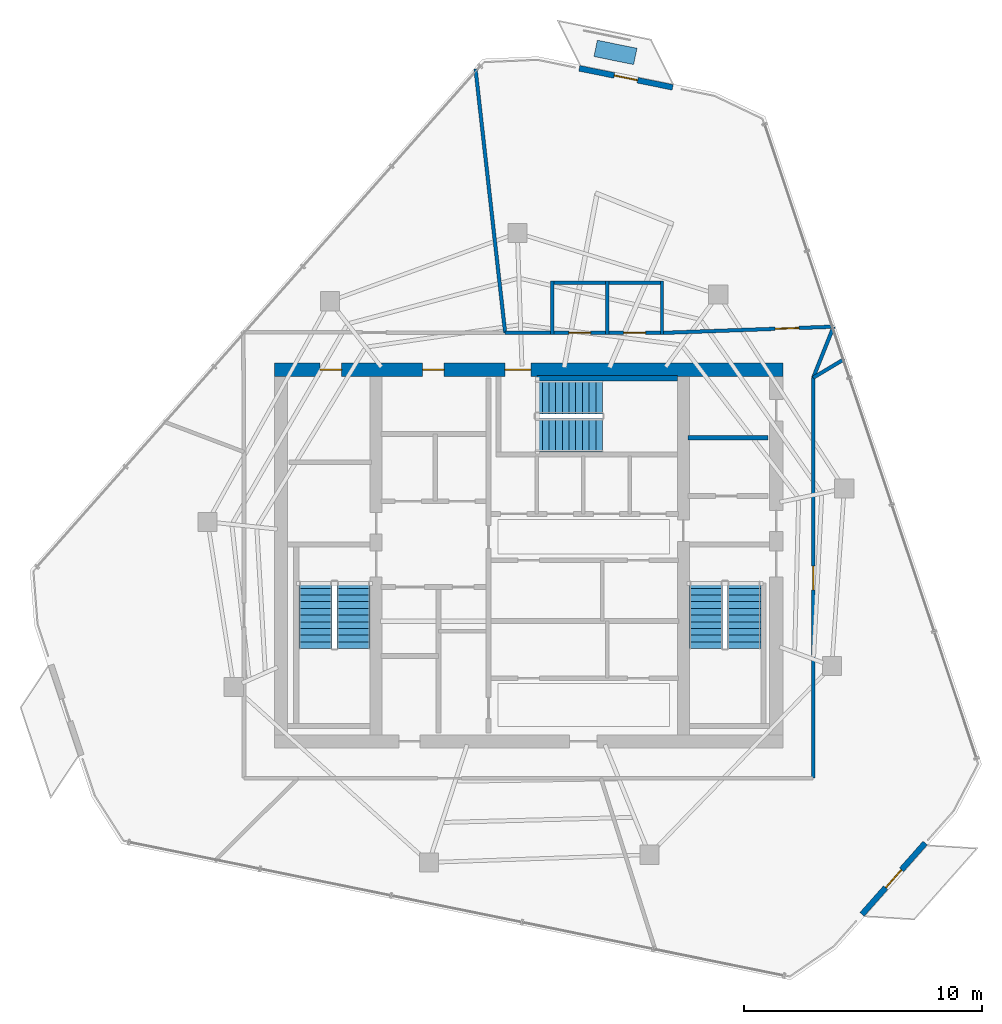
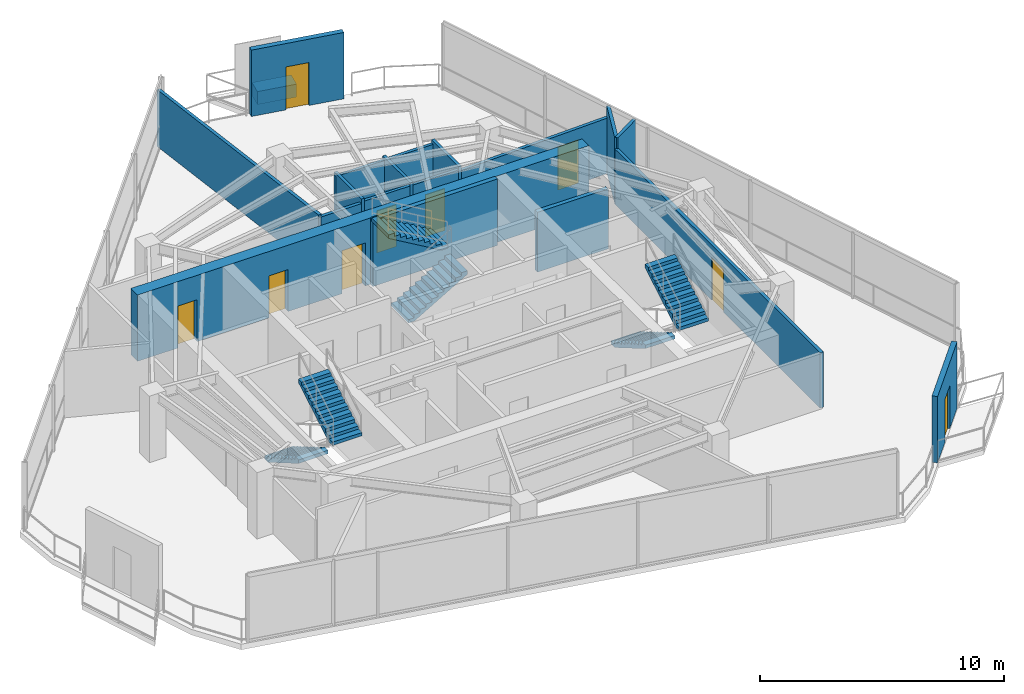
# One storey, part 16 of 18: 18 walls, 9 doors, 6 stair flights, 1 discrete accessory, 9 openings, 3 elements without a shape of their own.
"""IFC4 building model written with IfcOpenShell, lengths in metres."""

from ifc_helpers import new_model, si_unit, direction, frame, frame_2d, origin, origin_2d, place, context, subcontext, project, spatial, polyline, rectangle, outline, extrude, material, layer, layer_set, type_object, element, fill, aggregate, save


model = new_model("IFC4")

# Units and contexts
model_context = context("Model", 3, precision=1e-05, world=origin(), true_north=direction((0.0, 1.0)))
body_context = subcontext(model_context, "Body", "Model", "MODEL_VIEW")
ifc_project = project(units=[si_unit("LENGTHUNIT", "METRE"), si_unit("AREAUNIT", "SQUARE_METRE"), si_unit("VOLUMEUNIT", "CUBIC_METRE"), si_unit("PLANEANGLEUNIT", "RADIAN"), si_unit("MASSUNIT", "GRAM", prefix="KILO")], contexts=[model_context])

# Site, building, storey
site_placement = place(None, origin())
site = spatial("IfcSite", under=ifc_project, at=site_placement, CompositionType="ELEMENT")
building_placement = place(site_placement, origin())
building = spatial("IfcBuilding", under=site, at=building_placement, Name="Qarnah Convention Tower", CompositionType="ELEMENT")
storey_placement = place(building_placement, frame((0.0, 0.0, 249.89990234375)))
storey = spatial("IfcBuildingStorey", under=building, at=storey_placement, Name="L67", CompositionType="ELEMENT", Elevation=249.89990234375)

# Wall, openings, doors
ifc_material_1 = material(Name="Concrete C60/75", Category="concrete")
ifc_layer_1 = layer(ifc_material_1, 0.550048828125)
ifc_layer_set_1 = layer_set([ifc_layer_1], Name="Concrete C60/75")
wall_type_1 = type_object("IfcWallType", Name="WL-CORE-550", PredefinedType="SHEAR", material=ifc_layer_set_1)
wall_1_placement = place(storey_placement, frame((26.52490234375, 34.199951171875, 0.0), z_axis=(0.0, 0.0, 1.0), x_axis=(1.0, 0.0, 0.0)))
wall_1 = element("IfcWall", 1, at=wall_1_placement, inside=storey, type_object=wall_type_1, Name="L67 core north shear wall", PredefinedType="SHEAR", context=body_context, shape_type="SweptSolid", body=[
    extrude(rectangle(XDim=21.35009765625, YDim=0.550048828125, at=frame_2d((10.675048828125, 0.0))), origin(), (0.0, 0.0, 1.0), 3.320068359375),
])
opening_1_placement = place(wall_1_placement, frame((9.675048828125, 0.0, 0.0)))
opening_1 = element("IfcOpeningElement", 2, at=opening_1_placement, cuts=wall_1, Name="Opening D-6703", PredefinedType="OPENING", context=body_context, shape_type="SweptSolid", body=[
    extrude(rectangle(XDim=1.10009765625, YDim=2.14990234375, at=frame_2d((0.550048828125, 1.074951171875))), frame((0.0, 0.284912109375, 0.0), z_axis=(0.0, -1.0, 0.0), x_axis=(1.0, 0.0, 0.0)), (0.0, 0.0, 1.0), 0.570068359375),
])
opening_2_placement = place(wall_1_placement, frame((1.925048828125, 0.0, 0.0)))
opening_2 = element("IfcOpeningElement", 3, at=opening_2_placement, cuts=wall_1, Name="Opening D-6709", PredefinedType="OPENING", context=body_context, shape_type="SweptSolid", body=[
    extrude(rectangle(XDim=0.89990234375, YDim=2.10009765625, at=frame_2d((0.449951171875, 1.050048828125))), frame((0.0, 0.284912109375, 0.0), z_axis=(0.0, -1.0, 0.0), x_axis=(1.0, 0.0, 0.0)), (0.0, 0.0, 1.0), 0.570068359375),
])
opening_3_placement = place(wall_1_placement, frame((6.22509765625, 0.0, 0.0)))
opening_3 = element("IfcOpeningElement", 4, at=opening_3_placement, cuts=wall_1, Name="Opening D-6710", PredefinedType="OPENING", context=body_context, shape_type="SweptSolid", body=[
    extrude(rectangle(XDim=0.89990234375, YDim=2.10009765625, at=frame_2d((0.449951171875, 1.050048828125))), frame((0.0, 0.284912109375, 0.0), z_axis=(0.0, -1.0, 0.0), x_axis=(1.0, 0.0, 0.0)), (0.0, 0.0, 1.0), 0.570068359375),
])
ifc_material_2 = material(Name="Structural steel S355JR", Category="steel")
door_type_1 = type_object("IfcDoorType", Name="DT-RISER-900", OperationType="NOTDEFINED", PredefinedType="DOOR", material=ifc_material_2)
door_1_placement = place(opening_2_placement, origin())
door_1 = element("IfcDoor", 5, at=door_1_placement, inside=storey, type_object=door_type_1, Name="Door D-6709", OperationType="SINGLE_SWING_RIGHT", OverallHeight=2.10009765625, OverallWidth=0.89990234375, PredefinedType="DOOR", context=body_context, shape_type="SweptSolid", body=[
    extrude(rectangle(XDim=0.89990234375, YDim=2.10009765625, at=frame_2d((0.449951171875, 1.050048828125))), frame((0.0, 0.02490234375, 0.0), z_axis=(0.0, -1.0, 0.0), x_axis=(1.0, 0.0, 0.0)), (0.0, 0.0, 1.0), 0.050048828125),
])
fill(opening_2, door_1)
door_2_placement = place(opening_3_placement, origin())
door_2 = element("IfcDoor", 6, at=door_2_placement, inside=storey, type_object=door_type_1, Name="Door D-6710", OperationType="SINGLE_SWING_LEFT", OverallHeight=2.10009765625, OverallWidth=0.89990234375, PredefinedType="DOOR", context=body_context, shape_type="SweptSolid", body=[
    extrude(rectangle(XDim=0.89990234375, YDim=2.10009765625, at=frame_2d((0.449951171875, 1.050048828125))), frame((0.0, 0.02490234375, 0.0), z_axis=(0.0, -1.0, 0.0), x_axis=(1.0, 0.0, 0.0)), (0.0, 0.0, 1.0), 0.050048828125),
])
fill(opening_3, door_2)
door_type_2 = type_object("IfcDoorType", Name="DT-STAIR-1100", OperationType="NOTDEFINED", PredefinedType="DOOR", material=ifc_material_2)
door_3_placement = place(opening_1_placement, origin())
door_3 = element("IfcDoor", 7, at=door_3_placement, inside=storey, type_object=door_type_2, Name="Door D-6703", OperationType="SINGLE_SWING_RIGHT", OverallHeight=2.14990234375, OverallWidth=1.10009765625, PredefinedType="DOOR", context=body_context, shape_type="SweptSolid", body=[
    extrude(rectangle(XDim=1.10009765625, YDim=2.14990234375, at=frame_2d((0.550048828125, 1.074951171875))), frame((0.0, 0.02490234375, 0.0), z_axis=(0.0, -1.0, 0.0), x_axis=(1.0, 0.0, 0.0)), (0.0, 0.0, 1.0), 0.050048828125),
])
fill(opening_1, door_3)

# Walls
ifc_material_3 = material(Name="Concrete C45/55", Category="concrete")
ifc_layer_2 = layer(ifc_material_3, 0.199951171875)
ifc_layer_set_2 = layer_set([ifc_layer_2], Name="Concrete C45/55")
wall_type_2 = type_object("IfcWallType", Name="WL-CORE-PART-200", PredefinedType="SOLIDWALL", material=ifc_layer_set_2)
wall_2_placement = place(storey_placement, frame((43.89990234375, 31.35009765625, 0.0), z_axis=(0.0, 0.0, 1.0), x_axis=(1.0, 0.0, 0.0)))
element("IfcWall", 8, at=wall_2_placement, inside=storey, type_object=wall_type_2, Name="L67 interior wall IW-L67-WTRN", PredefinedType="SOLIDWALL", context=body_context, shape_type="SweptSolid", body=[
    extrude(rectangle(XDim=3.35009765625, YDim=0.199951171875, at=frame_2d((1.675048828125, 0.0))), origin(), (0.0, 0.0, 1.0), 2.9931640625),
])
ifc_layer_3 = layer(ifc_material_1, 0.219970703125)
ifc_layer_set_3 = layer_set([ifc_layer_3], Name="Concrete C60/75")
wall_type_3 = type_object("IfcWallType", Name="WL-CORE-STAIR-220", PredefinedType="SHEAR", material=ifc_layer_set_3)
wall_3_placement = place(storey_placement, frame((37.550048828125, 33.840087890625, 0.0), z_axis=(0.0, 0.0, 1.0), x_axis=(1.0, 0.0, 0.0)))
element("IfcWall", 9, at=wall_3_placement, inside=storey, type_object=wall_type_3, Name="L67 stair shaft shear wall SW-L67-ST3N", PredefinedType="SHEAR", context=body_context, shape_type="SweptSolid", body=[
    extrude(rectangle(XDim=5.89990234375, YDim=0.219970703125, at=frame_2d((2.949951171875, 0.0))), origin(), (0.0, 0.0, 1.0), 3.320068359375),
])

# Wall, opening, door
ifc_material_4 = material(Name="Precast concrete C45/55", Category="concrete")
ifc_layer_4 = layer(ifc_material_4, 0.239990234375)
ifc_layer_set_4 = layer_set([ifc_layer_4], Name="Precast concrete C45/55")
wall_type_4 = type_object("IfcWallType", Name="WL-EXT-BAL-240", PredefinedType="SOLIDWALL", material=ifc_layer_set_4)
wall_4_placement = place(storey_placement, frame((39.327880859375, 46.85693359375, 0.0), z_axis=(0.0, 0.0, 1.0), x_axis=(0.979863063716, -0.199670669769, 0.0)))
wall_4 = element("IfcWall", 10, at=wall_4_placement, inside=storey, type_object=wall_type_4, Name="L67 loggia threshold wall BAL-L67-C1", PredefinedType="SOLIDWALL", context=body_context, shape_type="SweptSolid", body=[
    extrude(rectangle(XDim=4.000732421875, YDim=0.239990234375, at=frame_2d((2.00048828125, 0.0))), origin(), (0.0, 0.0, 1.0), 3.320068359375),
])
opening_4_placement = place(wall_4_placement, frame((1.5, 0.0, 0.0)))
opening_4 = element("IfcOpeningElement", 11, at=opening_4_placement, cuts=wall_4, Name="Opening BD-6701", PredefinedType="OPENING", context=body_context, shape_type="SweptSolid", body=[
    extrude(rectangle(XDim=1.0, YDim=2.14990234375, at=frame_2d((0.5, 1.074951171875))), frame((0.0, 0.1298828125, 0.0), z_axis=(0.0, -1.0, 0.0), x_axis=(1.0, 0.0, 0.0)), (0.0, 0.0, 1.0), 0.260009765625),
])
ifc_material_5 = material(Name="Black anodised aluminium", Category="aluminium")
door_type_3 = type_object("IfcDoorType", Name="DT-BAL-1000", OperationType="NOTDEFINED", PredefinedType="DOOR", material=ifc_material_5)
door_4_placement = place(opening_4_placement, origin())
door_4 = element("IfcDoor", 12, at=door_4_placement, inside=storey, type_object=door_type_3, Name="L67 balcony terrace door BAL-L67-C1", OperationType="SINGLE_SWING_RIGHT", OverallHeight=2.14990234375, OverallWidth=1.0, PredefinedType="DOOR", context=body_context, shape_type="SweptSolid", body=[
    extrude(rectangle(XDim=1.0, YDim=2.14990234375, at=frame_2d((0.5, 1.074951171875))), frame((0.0, 0.02490234375, 0.0), z_axis=(0.0, -1.0, 0.0), x_axis=(1.0, 0.0, 0.0)), (0.0, 0.0, 1.0), 0.050048828125),
])
fill(opening_4, door_4)

wall_5_placement = place(storey_placement, frame((53.85205078125, 14.3291015625, 0.0), z_axis=(0.0, 0.0, 1.0), x_axis=(-0.662934598055, -0.7486773128, 0.0)))
wall_5 = element("IfcWall", 13, at=wall_5_placement, inside=storey, type_object=wall_type_4, Name="L67 loggia threshold wall BAL-L67-C3", PredefinedType="SOLIDWALL", context=body_context, shape_type="SweptSolid", body=[
    extrude(rectangle(XDim=4.00048828125, YDim=0.239990234375, at=frame_2d((2.000244140625, 0.0))), origin(), (0.0, 0.0, 1.0), 3.320068359375),
])
opening_5_placement = place(wall_5_placement, frame((1.5, 0.0, 0.0)))
opening_5 = element("IfcOpeningElement", 14, at=opening_5_placement, cuts=wall_5, Name="Opening BD-6703", PredefinedType="OPENING", context=body_context, shape_type="SweptSolid", body=[
    extrude(rectangle(XDim=1.0, YDim=2.14990234375, at=frame_2d((0.5, 1.074951171875))), frame((0.0, 0.1298828125, 0.0), z_axis=(0.0, -1.0, 0.0), x_axis=(1.0, 0.0, 0.0)), (0.0, 0.0, 1.0), 0.260009765625),
])
door_5_placement = place(opening_5_placement, origin())
door_5 = element("IfcDoor", 15, at=door_5_placement, inside=storey, type_object=door_type_3, Name="L67 balcony terrace door BAL-L67-C3", OperationType="SINGLE_SWING_RIGHT", OverallHeight=2.14990234375, OverallWidth=1.0, PredefinedType="DOOR", context=body_context, shape_type="SweptSolid", body=[
    extrude(rectangle(XDim=1.0, YDim=2.14990234375, at=frame_2d((0.5, 1.074951171875))), frame((0.0, 0.02490234375, 0.0), z_axis=(0.0, -1.0, 0.0), x_axis=(1.0, 0.0, 0.0)), (0.0, 0.0, 1.0), 0.050048828125),
])
fill(opening_5, door_5)

# Walls
ifc_material_6 = material(Name="Gypsum partition board")
ifc_layer_5 = layer(ifc_material_6, 0.14990234375)
ifc_layer_set_5 = layer_set([ifc_layer_5], Name="Gypsum partition board")
wall_type_5 = type_object("IfcWallType", Name="WL-SUITE-150", PredefinedType="PARTITIONING", material=ifc_layer_set_5)
wall_6_placement = place(storey_placement, frame((34.971923828125, 46.824951171875, 0.0), z_axis=(0.0, 0.0, 1.0), x_axis=(0.111722573972, -0.993739435901, 0.0)))
element("IfcWall", 16, at=wall_6_placement, inside=storey, type_object=wall_type_5, Name="L67 interior wall IW-L67-R-08", PredefinedType="PARTITIONING", context=body_context, shape_type="SweptSolid", body=[
    extrude(rectangle(XDim=11.144775390625, YDim=0.14990234375, at=frame_2d((5.572265625, 0.0))), origin(), (0.0, 0.0, 1.0), 2.84521484375),
])
wall_7_placement = place(storey_placement, frame((36.217041015625, 35.75, 0.0), z_axis=(0.0, 0.0, 1.0), x_axis=(1.0, 0.0, 0.0)))
element("IfcWall", 17, at=wall_7_placement, inside=storey, type_object=wall_type_5, Name="L67 interior wall IW-L67-R-09", PredefinedType="PARTITIONING", context=body_context, shape_type="SweptSolid", body=[
    extrude(rectangle(XDim=1.912841796875, YDim=0.14990234375, at=frame_2d((0.95654296875, 0.0))), origin(), (0.0, 0.0, 1.0), 2.76904296875),
])

# Wall, opening, door
wall_8_placement = place(storey_placement, frame((42.8701171875, 35.75, 0.0), z_axis=(0.0, 0.0, 1.0), x_axis=(0.999341596127, 0.036281872211, 0.0)))
wall_8 = element("IfcWall", 18, at=wall_8_placement, inside=storey, type_object=wall_type_5, Name="L67 interior wall IW-L67-R-10", PredefinedType="PARTITIONING", context=body_context, shape_type="SweptSolid", body=[
    extrude(rectangle(XDim=7.139404296875, YDim=0.14990234375, at=frame_2d((3.56982421875, 0.0))), origin(), (0.0, 0.0, 1.0), 2.76904296875),
])
opening_6_placement = place(wall_8_placement, frame((4.68701171875, 0.0, 0.0)))
opening_6 = element("IfcOpeningElement", 19, at=opening_6_placement, cuts=wall_8, Name="Opening D-6722", PredefinedType="OPENING", context=body_context, shape_type="SweptSolid", body=[
    extrude(rectangle(XDim=1.0, YDim=2.14990234375, at=frame_2d((0.5, 1.074951171875))), frame((0.0, 0.0849609375, 0.0), z_axis=(0.0, -1.0, 0.0), x_axis=(1.0, 0.0, 0.0)), (0.0, 0.0, 1.0), 0.169921875),
])
ifc_material_7 = material(Name="Oak timber veneer", Category="wood")
door_type_4 = type_object("IfcDoorType", Name="DT-OFFICE-1000", OperationType="NOTDEFINED", PredefinedType="DOOR", material=ifc_material_7)
door_6_placement = place(opening_6_placement, origin())
door_6 = element("IfcDoor", 20, at=door_6_placement, inside=storey, type_object=door_type_4, Name="Door D-6722", OperationType="SINGLE_SWING_LEFT", OverallHeight=2.14990234375, OverallWidth=1.0, PredefinedType="DOOR", context=body_context, shape_type="SweptSolid", body=[
    extrude(rectangle(XDim=1.0, YDim=2.14990234375, at=frame_2d((0.5, 1.074951171875))), frame((0.0, 0.02490234375, 0.0), z_axis=(0.0, -1.0, 0.0), x_axis=(1.0, 0.0, 0.0)), (0.0, 0.0, 1.0), 0.050048828125),
])
fill(opening_6, door_6)

# Walls
wall_9_placement = place(storey_placement, frame((50.0048828125, 36.009033203125, 0.0), z_axis=(0.0, 0.0, 1.0), x_axis=(-0.370697053381, -0.928753839623, 0.0)))
element("IfcWall", 21, at=wall_9_placement, inside=storey, type_object=wall_type_5, Name="L67 interior wall IW-L67-R-11", PredefinedType="PARTITIONING", context=body_context, shape_type="SweptSolid", body=[
    extrude(rectangle(XDim=2.306396484375, YDim=0.14990234375, at=frame_2d((1.1533203125, 0.0))), origin(), (0.0, 0.0, 1.0), 3.320068359375),
])
wall_10_placement = place(storey_placement, frame((49.14990234375, 33.866943359375, 0.0), z_axis=(0.0, 0.0, 1.0), x_axis=(0.857591843195, 0.514330857023, 0.0)))
element("IfcWall", 22, at=wall_10_placement, inside=storey, type_object=wall_type_5, Name="L67 interior wall IW-L67-R-12", PredefinedType="PARTITIONING", context=body_context, shape_type="SweptSolid", body=[
    extrude(rectangle(XDim=1.524169921875, YDim=0.14990234375, at=frame_2d((0.76220703125, 0.0))), origin(), (0.0, 0.0, 1.0), 3.320068359375),
])

# Wall, opening, door
wall_11_placement = place(storey_placement, frame((49.14990234375, 33.866943359375, 0.0), z_axis=(0.0, 0.0, 1.0), x_axis=(0.0, -1.0, 0.0)))
wall_11 = element("IfcWall", 23, at=wall_11_placement, inside=storey, type_object=wall_type_5, Name="L67 interior wall IW-L67-R-21", PredefinedType="PARTITIONING", context=body_context, shape_type="SweptSolid", body=[
    extrude(rectangle(XDim=16.81689453125, YDim=0.14990234375, at=frame_2d((8.408447265625, 0.0))), origin(), (0.0, 0.0, 1.0), 2.76904296875),
])
opening_7_placement = place(wall_11_placement, frame((7.907958984375, 0.0, 0.0)))
opening_7 = element("IfcOpeningElement", 24, at=opening_7_placement, cuts=wall_11, Name="Opening D-6726", PredefinedType="OPENING", context=body_context, shape_type="SweptSolid", body=[
    extrude(rectangle(XDim=1.0, YDim=2.14990234375, at=frame_2d((0.5, 1.074951171875))), frame((0.0, 0.0849609375, 0.0), z_axis=(0.0, -1.0, 0.0), x_axis=(1.0, 0.0, 0.0)), (0.0, 0.0, 1.0), 0.169921875),
])
door_7_placement = place(opening_7_placement, origin())
door_7 = element("IfcDoor", 25, at=door_7_placement, inside=storey, type_object=door_type_4, Name="Door D-6726", OperationType="SINGLE_SWING_LEFT", OverallHeight=2.14990234375, OverallWidth=1.0, PredefinedType="DOOR", context=body_context, shape_type="SweptSolid", body=[
    extrude(rectangle(XDim=1.0, YDim=2.14990234375, at=frame_2d((0.5, 1.074951171875))), frame((0.0, 0.02490234375, 0.0), z_axis=(0.0, -1.0, 0.0), x_axis=(1.0, 0.0, 0.0)), (0.0, 0.0, 1.0), 0.050048828125),
])
fill(opening_7, door_7)

ifc_layer_6 = layer(ifc_material_6, 0.139892578125)
ifc_layer_set_6 = layer_set([ifc_layer_6], Name="Gypsum partition board")
wall_type_6 = type_object("IfcWallType", Name="WL-WET-140", PredefinedType="PARTITIONING", material=ifc_layer_set_6)
wall_12_placement = place(storey_placement, frame((38.1298828125, 35.75, 0.0), z_axis=(0.0, 0.0, 1.0), x_axis=(1.0, 0.0, 0.0)))
wall_12 = element("IfcWall", 26, at=wall_12_placement, inside=storey, type_object=wall_type_6, Name="L67 interior wall IW-L67-WCM-1", PredefinedType="PARTITIONING", context=body_context, shape_type="SweptSolid", body=[
    extrude(rectangle(XDim=2.440185546875, YDim=0.139892578125, at=frame_2d((1.22021484375, 0.0))), origin(), (0.0, 0.0, 1.0), 2.841064453125),
])
opening_8_placement = place(wall_12_placement, frame((0.760009765625, 0.0, 0.0)))
opening_8 = element("IfcOpeningElement", 27, at=opening_8_placement, cuts=wall_12, Name="Opening D-6720", PredefinedType="OPENING", context=body_context, shape_type="SweptSolid", body=[
    extrude(rectangle(XDim=0.919921875, YDim=2.10009765625, at=frame_2d((0.4599609375, 1.050048828125))), frame((0.0, 0.079833984375, 0.0), z_axis=(0.0, -1.0, 0.0), x_axis=(1.0, 0.0, 0.0)), (0.0, 0.0, 1.0), 0.159912109375),
])
door_type_5 = type_object("IfcDoorType", Name="DT-WC-920", OperationType="NOTDEFINED", PredefinedType="DOOR", material=ifc_material_7)
door_8_placement = place(opening_8_placement, origin())
door_8 = element("IfcDoor", 28, at=door_8_placement, inside=storey, type_object=door_type_5, Name="Door D-6720", OperationType="SINGLE_SWING_LEFT", OverallHeight=2.10009765625, OverallWidth=0.919921875, PredefinedType="DOOR", context=body_context, shape_type="SweptSolid", body=[
    extrude(rectangle(XDim=0.919921875, YDim=2.10009765625, at=frame_2d((0.4599609375, 1.050048828125))), frame((0.0, 0.02490234375, 0.0), z_axis=(0.0, -1.0, 0.0), x_axis=(1.0, 0.0, 0.0)), (0.0, 0.0, 1.0), 0.050048828125),
])
fill(opening_8, door_8)

# Walls
wall_13_placement = place(storey_placement, frame((40.5, 35.679931640625, 0.0), z_axis=(0.0, 0.0, 1.0), x_axis=(0.0, 1.0, 0.0)))
element("IfcWall", 29, at=wall_13_placement, inside=storey, type_object=wall_type_6, Name="L67 interior wall IW-L67-WCM-2", PredefinedType="PARTITIONING", context=body_context, shape_type="SweptSolid", body=[
    extrude(rectangle(XDim=2.239990234375, YDim=0.139892578125, at=frame_2d((1.1201171875, 0.0))), origin(), (0.0, 0.0, 1.0), 2.9931640625),
])
wall_14_placement = place(storey_placement, frame((40.570068359375, 37.85009765625, 0.0), z_axis=(0.0, 0.0, 1.0), x_axis=(-1.0, 0.0, 0.0)))
element("IfcWall", 30, at=wall_14_placement, inside=storey, type_object=wall_type_6, Name="L67 interior wall IW-L67-WCM-3", PredefinedType="PARTITIONING", context=body_context, shape_type="SweptSolid", body=[
    extrude(rectangle(XDim=2.440185546875, YDim=0.139892578125, at=frame_2d((1.22021484375, 0.0))), origin(), (0.0, 0.0, 1.0), 2.841064453125),
])
wall_15_placement = place(storey_placement, frame((38.199951171875, 37.919921875, 0.0), z_axis=(0.0, 0.0, 1.0), x_axis=(0.0, -1.0, 0.0)))
element("IfcWall", 31, at=wall_15_placement, inside=storey, type_object=wall_type_6, Name="L67 interior wall IW-L67-WCM-4", PredefinedType="PARTITIONING", context=body_context, shape_type="SweptSolid", body=[
    extrude(rectangle(XDim=2.239990234375, YDim=0.139892578125, at=frame_2d((1.1201171875, 0.0))), origin(), (0.0, 0.0, 1.0), 2.9931640625),
])

# Wall, opening, door
wall_16_placement = place(storey_placement, frame((40.429931640625, 35.75, 0.0), z_axis=(0.0, 0.0, 1.0), x_axis=(1.0, 0.0, 0.0)))
wall_16 = element("IfcWall", 32, at=wall_16_placement, inside=storey, type_object=wall_type_6, Name="L67 interior wall IW-L67-WCF-1", PredefinedType="PARTITIONING", context=body_context, shape_type="SweptSolid", body=[
    extrude(rectangle(XDim=2.440185546875, YDim=0.139892578125, at=frame_2d((1.22021484375, 0.0))), origin(), (0.0, 0.0, 1.0), 2.841064453125),
])
opening_9_placement = place(wall_16_placement, frame((0.760009765625, 0.0, 0.0)))
opening_9 = element("IfcOpeningElement", 33, at=opening_9_placement, cuts=wall_16, Name="Opening D-6721", PredefinedType="OPENING", context=body_context, shape_type="SweptSolid", body=[
    extrude(rectangle(XDim=0.919921875, YDim=2.10009765625, at=frame_2d((0.4599609375, 1.050048828125))), frame((0.0, 0.079833984375, 0.0), z_axis=(0.0, -1.0, 0.0), x_axis=(1.0, 0.0, 0.0)), (0.0, 0.0, 1.0), 0.159912109375),
])
door_9_placement = place(opening_9_placement, origin())
door_9 = element("IfcDoor", 34, at=door_9_placement, inside=storey, type_object=door_type_5, Name="Door D-6721", OperationType="SINGLE_SWING_RIGHT", OverallHeight=2.10009765625, OverallWidth=0.919921875, PredefinedType="DOOR", context=body_context, shape_type="SweptSolid", body=[
    extrude(rectangle(XDim=0.919921875, YDim=2.10009765625, at=frame_2d((0.4599609375, 1.050048828125))), frame((0.0, 0.02490234375, 0.0), z_axis=(0.0, -1.0, 0.0), x_axis=(1.0, 0.0, 0.0)), (0.0, 0.0, 1.0), 0.050048828125),
])
fill(opening_9, door_9)

# Walls
wall_17_placement = place(storey_placement, frame((42.800048828125, 35.679931640625, 0.0), z_axis=(0.0, 0.0, 1.0), x_axis=(0.0, 1.0, 0.0)))
element("IfcWall", 35, at=wall_17_placement, inside=storey, type_object=wall_type_6, Name="L67 interior wall IW-L67-WCF-2", PredefinedType="PARTITIONING", context=body_context, shape_type="SweptSolid", body=[
    extrude(rectangle(XDim=2.239990234375, YDim=0.139892578125, at=frame_2d((1.1201171875, 0.0))), origin(), (0.0, 0.0, 1.0), 2.9931640625),
])
wall_18_placement = place(storey_placement, frame((42.8701171875, 37.85009765625, 0.0), z_axis=(0.0, 0.0, 1.0), x_axis=(-1.0, 0.0, 0.0)))
element("IfcWall", 36, at=wall_18_placement, inside=storey, type_object=wall_type_6, Name="L67 interior wall IW-L67-WCF-3", PredefinedType="PARTITIONING", context=body_context, shape_type="SweptSolid", body=[
    extrude(rectangle(XDim=2.440185546875, YDim=0.139892578125, at=frame_2d((1.22021484375, 0.0))), origin(), (0.0, 0.0, 1.0), 2.841064453125),
])

# Stair, stair flights
ifc_material_8 = material(Name="Concrete C50/60", Category="concrete")
stair_type = type_object("IfcStairType", Name="STR-OFF", PredefinedType="HALF_TURN_STAIR", material=ifc_material_8)
stair_1_placement = place(storey_placement, origin())
stair_1 = element("IfcStair", 37, at=stair_1_placement, inside=storey, type_object=stair_type, Name="L67 Core exit stair ST-1", PredefinedType="HALF_TURN_STAIR")
stair_flight_type = type_object("IfcStairFlightType", Name="FLT-OFF", PredefinedType="STRAIGHT", material=ifc_material_8)
stair_flight_1_placement = place(storey_placement, frame((28.25, 25.300048828125, 0.0), z_axis=(0.0, 0.0, 1.0), x_axis=(0.0, -1.0, 0.0)))
stair_flight_1 = element("IfcStairFlight", 38, at=stair_flight_1_placement, type_object=stair_flight_type, Name="ST-1 flight 1", NumberOfRisers=11, NumberOfTreads=10, PredefinedType="STRAIGHT", RiserHeight=0.163636364, TreadLength=0.28, context=body_context, shape_type="SweptSolid", body=[
    extrude(outline(polyline([(0.0, 0.0), (0.0, 0.16357421875), (0.280029296875, 0.16357421875), (0.280029296875, 0.327392578125), (0.56005859375, 0.327392578125), (0.56005859375, 0.490966796875), (0.840087890625, 0.490966796875), (0.840087890625, 0.654541015625), (1.1201171875, 0.654541015625), (1.1201171875, 0.818115234375), (1.39990234375, 0.818115234375), (1.39990234375, 0.98193359375), (1.679931640625, 0.98193359375), (1.679931640625, 1.1455078125), (1.9599609375, 1.1455078125), (1.9599609375, 1.30908203125), (2.239990234375, 1.30908203125), (2.239990234375, 1.47265625), (2.52001953125, 1.47265625), (2.52001953125, 1.636474609375), (2.800048828125, 1.636474609375), (2.800048828125, 1.800048828125), (2.800048828125, 1.462646484375), (0.297119140625, 0.0), (0.0, 0.0)])), frame((0.0, 0.699951171875, 0.0), z_axis=(0.0, -1.0, 0.0), x_axis=(1.0, 0.0, 0.0)), (0.0, 0.0, 1.0), 1.39990234375),
])
stair_flight_2_placement = place(storey_placement, frame((29.85009765625, 22.5, 1.800048828125), z_axis=(0.0, 0.0, 1.0), x_axis=(0.0, 1.0, 0.0)))
stair_flight_2 = element("IfcStairFlight", 39, at=stair_flight_2_placement, type_object=stair_flight_type, Name="ST-1 flight 2", NumberOfRisers=11, NumberOfTreads=10, PredefinedType="STRAIGHT", RiserHeight=0.163636364, TreadLength=0.28, context=body_context, shape_type="SweptSolid", body=[
    extrude(outline(polyline([(0.0, 0.0), (0.0, 0.16357421875), (0.280029296875, 0.16357421875), (0.280029296875, 0.327392578125), (0.56005859375, 0.327392578125), (0.56005859375, 0.490966796875), (0.840087890625, 0.490966796875), (0.840087890625, 0.654541015625), (1.1201171875, 0.654541015625), (1.1201171875, 0.818115234375), (1.39990234375, 0.818115234375), (1.39990234375, 0.98193359375), (1.679931640625, 0.98193359375), (1.679931640625, 1.1455078125), (1.9599609375, 1.1455078125), (1.9599609375, 1.30908203125), (2.239990234375, 1.30908203125), (2.239990234375, 1.47265625), (2.52001953125, 1.47265625), (2.52001953125, 1.636474609375), (2.800048828125, 1.636474609375), (2.800048828125, 1.800048828125), (2.800048828125, 1.462646484375), (0.297119140625, 0.0), (0.0, 0.0)])), frame((0.0, 0.699951171875, 0.0), z_axis=(0.0, -1.0, 0.0), x_axis=(1.0, 0.0, 0.0)), (0.0, 0.0, 1.0), 1.39990234375),
])
aggregate(stair_1, [stair_flight_1, stair_flight_2])

stair_2_placement = place(storey_placement, origin())
stair_2 = element("IfcStair", 40, at=stair_2_placement, inside=storey, type_object=stair_type, Name="L67 Core exit stair ST-2", PredefinedType="HALF_TURN_STAIR")
stair_flight_3_placement = place(storey_placement, frame((44.64990234375, 25.300048828125, 0.0), z_axis=(0.0, 0.0, 1.0), x_axis=(0.0, -1.0, 0.0)))
stair_flight_3 = element("IfcStairFlight", 41, at=stair_flight_3_placement, type_object=stair_flight_type, Name="ST-2 flight 1", NumberOfRisers=11, NumberOfTreads=10, PredefinedType="STRAIGHT", RiserHeight=0.163636364, TreadLength=0.28, context=body_context, shape_type="SweptSolid", body=[
    extrude(outline(polyline([(0.0, 0.0), (0.0, 0.16357421875), (0.280029296875, 0.16357421875), (0.280029296875, 0.327392578125), (0.56005859375, 0.327392578125), (0.56005859375, 0.490966796875), (0.840087890625, 0.490966796875), (0.840087890625, 0.654541015625), (1.1201171875, 0.654541015625), (1.1201171875, 0.818115234375), (1.39990234375, 0.818115234375), (1.39990234375, 0.98193359375), (1.679931640625, 0.98193359375), (1.679931640625, 1.1455078125), (1.9599609375, 1.1455078125), (1.9599609375, 1.30908203125), (2.239990234375, 1.30908203125), (2.239990234375, 1.47265625), (2.52001953125, 1.47265625), (2.52001953125, 1.636474609375), (2.800048828125, 1.636474609375), (2.800048828125, 1.800048828125), (2.800048828125, 1.462646484375), (0.297119140625, 0.0), (0.0, 0.0)])), frame((0.0, 0.699951171875, 0.0), z_axis=(0.0, -1.0, 0.0), x_axis=(1.0, 0.0, 0.0)), (0.0, 0.0, 1.0), 1.39990234375),
])
stair_flight_4_placement = place(storey_placement, frame((46.25, 22.5, 1.800048828125), z_axis=(0.0, 0.0, 1.0), x_axis=(0.0, 1.0, 0.0)))
stair_flight_4 = element("IfcStairFlight", 42, at=stair_flight_4_placement, type_object=stair_flight_type, Name="ST-2 flight 2", NumberOfRisers=11, NumberOfTreads=10, PredefinedType="STRAIGHT", RiserHeight=0.163636364, TreadLength=0.28, context=body_context, shape_type="SweptSolid", body=[
    extrude(outline(polyline([(0.0, 0.0), (0.0, 0.16357421875), (0.280029296875, 0.16357421875), (0.280029296875, 0.327392578125), (0.56005859375, 0.327392578125), (0.56005859375, 0.490966796875), (0.840087890625, 0.490966796875), (0.840087890625, 0.654541015625), (1.1201171875, 0.654541015625), (1.1201171875, 0.818115234375), (1.39990234375, 0.818115234375), (1.39990234375, 0.98193359375), (1.679931640625, 0.98193359375), (1.679931640625, 1.1455078125), (1.9599609375, 1.1455078125), (1.9599609375, 1.30908203125), (2.239990234375, 1.30908203125), (2.239990234375, 1.47265625), (2.52001953125, 1.47265625), (2.52001953125, 1.636474609375), (2.800048828125, 1.636474609375), (2.800048828125, 1.800048828125), (2.800048828125, 1.462646484375), (0.297119140625, 0.0), (0.0, 0.0)])), frame((0.0, 0.699951171875, 0.0), z_axis=(0.0, -1.0, 0.0), x_axis=(1.0, 0.0, 0.0)), (0.0, 0.0, 1.0), 1.39990234375),
])
aggregate(stair_2, [stair_flight_3, stair_flight_4])

stair_3_placement = place(storey_placement, origin())
stair_3 = element("IfcStair", 43, at=stair_3_placement, inside=storey, type_object=stair_type, Name="L67 Core exit stair ST-3", PredefinedType="HALF_TURN_STAIR")
stair_flight_5_placement = place(storey_placement, frame((37.5, 31.449951171875, 0.0), z_axis=(0.0, 0.0, 1.0), x_axis=(1.0, 0.0, 0.0)))
stair_flight_5 = element("IfcStairFlight", 44, at=stair_flight_5_placement, type_object=stair_flight_type, Name="ST-3 flight 1", NumberOfRisers=11, NumberOfTreads=10, PredefinedType="STRAIGHT", RiserHeight=0.163636364, TreadLength=0.28, context=body_context, shape_type="SweptSolid", body=[
    extrude(outline(polyline([(0.0, 0.0), (0.0, 0.16357421875), (0.280029296875, 0.16357421875), (0.280029296875, 0.327392578125), (0.56005859375, 0.327392578125), (0.56005859375, 0.490966796875), (0.840087890625, 0.490966796875), (0.840087890625, 0.654541015625), (1.1201171875, 0.654541015625), (1.1201171875, 0.818115234375), (1.39990234375, 0.818115234375), (1.39990234375, 0.98193359375), (1.679931640625, 0.98193359375), (1.679931640625, 1.1455078125), (1.9599609375, 1.1455078125), (1.9599609375, 1.30908203125), (2.239990234375, 1.30908203125), (2.239990234375, 1.47265625), (2.52001953125, 1.47265625), (2.52001953125, 1.636474609375), (2.800048828125, 1.636474609375), (2.800048828125, 1.800048828125), (2.800048828125, 1.462646484375), (0.297119140625, 0.0), (0.0, 0.0)])), frame((0.0, 0.699951171875, 0.0), z_axis=(0.0, -1.0, 0.0), x_axis=(1.0, 0.0, 0.0)), (0.0, 0.0, 1.0), 1.39990234375),
])
stair_flight_6_placement = place(storey_placement, frame((40.300048828125, 33.050048828125, 1.800048828125), z_axis=(0.0, 0.0, 1.0), x_axis=(-1.0, 0.0, 0.0)))
stair_flight_6 = element("IfcStairFlight", 45, at=stair_flight_6_placement, type_object=stair_flight_type, Name="ST-3 flight 2", NumberOfRisers=11, NumberOfTreads=10, PredefinedType="STRAIGHT", RiserHeight=0.163636364, TreadLength=0.28, context=body_context, shape_type="SweptSolid", body=[
    extrude(outline(polyline([(0.0, 0.0), (0.0, 0.16357421875), (0.280029296875, 0.16357421875), (0.280029296875, 0.327392578125), (0.56005859375, 0.327392578125), (0.56005859375, 0.490966796875), (0.840087890625, 0.490966796875), (0.840087890625, 0.654541015625), (1.1201171875, 0.654541015625), (1.1201171875, 0.818115234375), (1.39990234375, 0.818115234375), (1.39990234375, 0.98193359375), (1.679931640625, 0.98193359375), (1.679931640625, 1.1455078125), (1.9599609375, 1.1455078125), (1.9599609375, 1.30908203125), (2.239990234375, 1.30908203125), (2.239990234375, 1.47265625), (2.52001953125, 1.47265625), (2.52001953125, 1.636474609375), (2.800048828125, 1.636474609375), (2.800048828125, 1.800048828125), (2.800048828125, 1.462646484375), (0.297119140625, 0.0), (0.0, 0.0)])), frame((0.0, 0.699951171875, 0.0), z_axis=(0.0, -1.0, 0.0), x_axis=(1.0, 0.0, 0.0)), (0.0, 0.0, 1.0), 1.39990234375),
])
aggregate(stair_3, [stair_flight_5, stair_flight_6])

# Discrete accessory
discrete_accessory_type = type_object("IfcDiscreteAccessoryType", Name="ACC-PLANTER-900", PredefinedType="USERDEFINED", material=ifc_material_4)
discrete_accessory_placement = place(storey_placement, frame((40.847900390625, 47.52587890625, 0.000244140625), z_axis=(0.0, 0.0, 1.0), x_axis=(-0.979855052384, 0.199709980514, 0.0)))
element("IfcDiscreteAccessory", 46, at=discrete_accessory_placement, inside=storey, type_object=discrete_accessory_type, Name="L67 irrigated desert balcony PLANTER BAL-L67-C1", ObjectType="PLANTER", PredefinedType="USERDEFINED", context=body_context, shape_type="SweptSolid", body=[
    extrude(rectangle(XDim=1.699951171875, YDim=0.699951171875, at=origin_2d()), origin(), (0.0, 0.0, 1.0), 0.64990234375),
])

save(model, "model.ifc")
